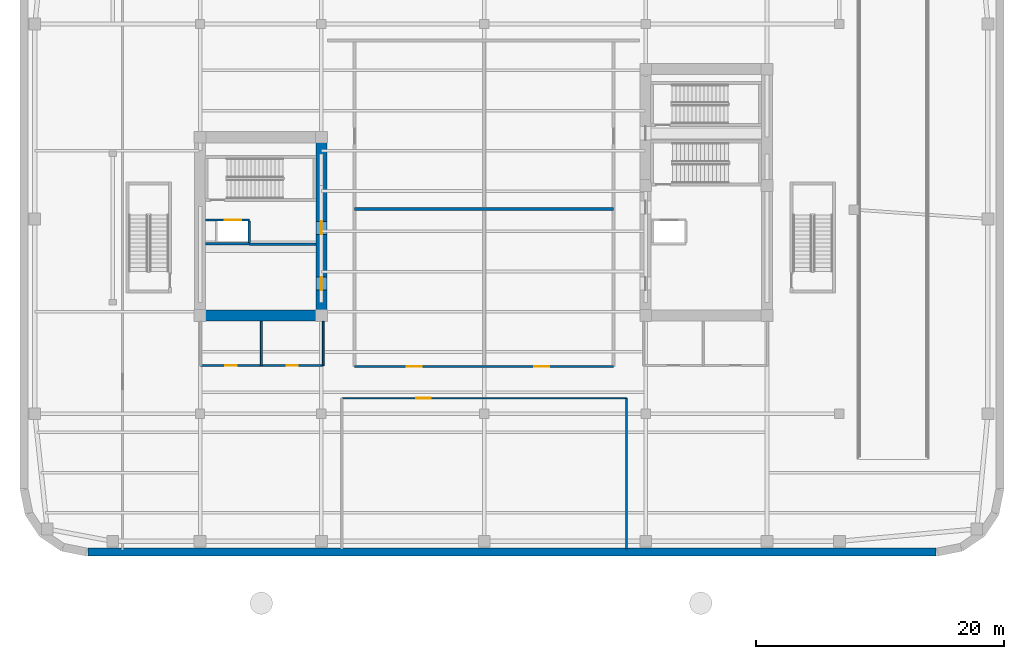
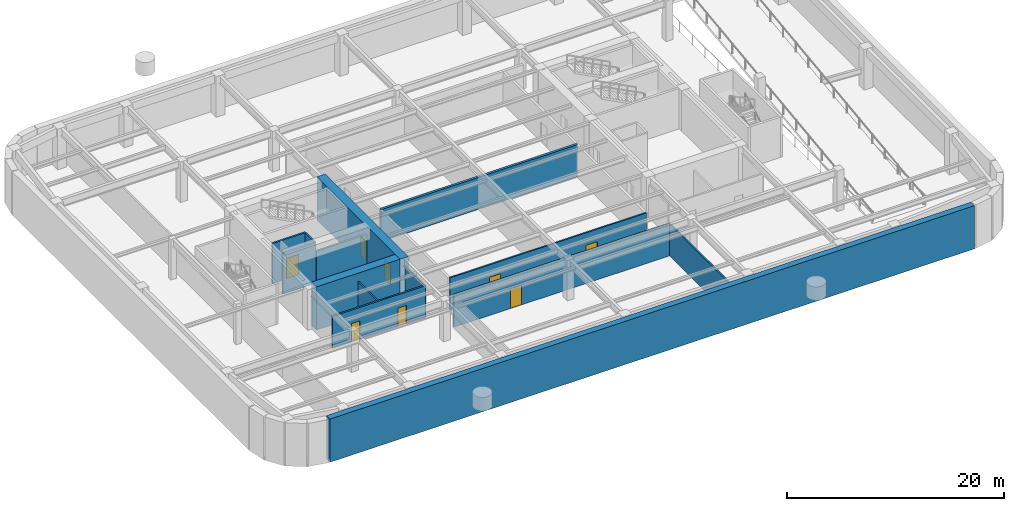
# One storey, part 4 of 12: 14 walls, 8 doors, 8 openings.
"""IFC4 building model written with IfcOpenShell, lengths in metres."""

from ifc_helpers import new_model, si_unit, direction, frame, frame_2d, origin, place, context, subcontext, project, spatial, rectangle, extrude, material, layer, layer_set, type_object, element, fill, save


model = new_model("IFC4")

# Units and contexts
model_context = context("Model", 3, precision=1e-05, world=origin(), true_north=direction((0.0, 1.0)))
body_context = subcontext(model_context, "Body", "Model", "MODEL_VIEW")
ifc_project = project(units=[si_unit("LENGTHUNIT", "METRE"), si_unit("AREAUNIT", "SQUARE_METRE"), si_unit("VOLUMEUNIT", "CUBIC_METRE"), si_unit("PLANEANGLEUNIT", "RADIAN"), si_unit("MASSUNIT", "GRAM", prefix="KILO")], contexts=[model_context])

# Site, building, storey
site_placement = place(None, origin())
site = spatial("IfcSite", under=ifc_project, at=site_placement, CompositionType="ELEMENT")
building_placement = place(site_placement, origin())
building = spatial("IfcBuilding", under=site, at=building_placement, Name="Kolvaren Arena Tower", CompositionType="ELEMENT")
storey_placement = place(building_placement, frame((0.0, 0.0, -5.0)))
storey = spatial("IfcBuildingStorey", under=building, at=storey_placement, Name="B01", CompositionType="ELEMENT", Elevation=-5.0)

# Wall, openings, doors
ifc_material_1 = material(Name="Gypsum board acoustic assembly", Category="gypsum")
ifc_layer_1 = layer(ifc_material_1, 0.159912109375)
ifc_layer_set_1 = layer_set([ifc_layer_1], Name="Gypsum board acoustic assembly")
wall_type_1 = type_object("IfcWallType", Name="CORR-160", PredefinedType="PARTITIONING", material=ifc_layer_set_1)
wall_1_placement = place(storey_placement, frame((27.0400390625, 15.340087890625, 0.0), z_axis=(0.0, 0.0, 1.0), x_axis=(1.0, 0.0, 0.0)))
wall_1 = element("IfcWall", 1, at=wall_1_placement, inside=storey, type_object=wall_type_1, Name="Interior Partition Wall (B01)", PredefinedType="PARTITIONING", context=body_context, shape_type="SweptSolid", body=[
    extrude(rectangle(XDim=20.919921875, YDim=0.159912109375, at=frame_2d((10.4599609375, 0.0))), origin(), (0.0, 0.0, 1.0), 3.610107421875),
])
opening_1_placement = place(wall_1_placement, frame((4.199951171875, 0.0, 0.0)))
opening_1 = element("IfcOpeningElement", 2, at=opening_1_placement, cuts=wall_1, Name="Opening D08", PredefinedType="OPENING", context=body_context, shape_type="SweptSolid", body=[
    extrude(rectangle(XDim=1.199951171875, YDim=2.199951171875, at=frame_2d((0.60009765625, 1.10009765625))), frame((0.0, 0.08984375, 0.0), z_axis=(0.0, -1.0, 0.0), x_axis=(1.0, 0.0, 0.0)), (0.0, 0.0, 1.0), 0.179931640625),
])
opening_2_placement = place(wall_1_placement, frame((14.5, 0.0, 0.0)))
opening_2 = element("IfcOpeningElement", 3, at=opening_2_placement, cuts=wall_1, Name="Opening D08", PredefinedType="OPENING", context=body_context, shape_type="SweptSolid", body=[
    extrude(rectangle(XDim=1.199951171875, YDim=2.199951171875, at=frame_2d((0.60009765625, 1.10009765625))), frame((0.0, 0.08984375, 0.0), z_axis=(0.0, -1.0, 0.0), x_axis=(1.0, 0.0, 0.0)), (0.0, 0.0, 1.0), 0.179931640625),
])
ifc_material_2 = material(Name="Fire-rated steel plant room door", Category="steel")
door_type_1 = type_object("IfcDoorType", Name="DOOR-PL-120", OperationType="NOTDEFINED", PredefinedType="DOOR", material=ifc_material_2)
door_1_placement = place(opening_1_placement, origin())
door_1 = element("IfcDoor", 4, at=door_1_placement, inside=storey, type_object=door_type_1, Name="Team A Locker Room Door", OperationType="SINGLE_SWING_RIGHT", OverallHeight=2.199951171875, OverallWidth=1.199951171875, PredefinedType="DOOR", context=body_context, shape_type="SweptSolid", body=[
    extrude(rectangle(XDim=1.199951171875, YDim=2.199951171875, at=frame_2d((0.60009765625, 1.10009765625))), frame((0.0, 0.02490234375, 0.0), z_axis=(0.0, -1.0, 0.0), x_axis=(1.0, 0.0, 0.0)), (0.0, 0.0, 1.0), 0.050048828125),
])
fill(opening_1, door_1)
door_2_placement = place(opening_2_placement, origin())
door_2 = element("IfcDoor", 5, at=door_2_placement, inside=storey, type_object=door_type_1, Name="Team B Locker Room Door", OperationType="SINGLE_SWING_LEFT", OverallHeight=2.199951171875, OverallWidth=1.199951171875, PredefinedType="DOOR", context=body_context, shape_type="SweptSolid", body=[
    extrude(rectangle(XDim=1.199951171875, YDim=2.199951171875, at=frame_2d((0.60009765625, 1.10009765625))), frame((0.0, 0.02490234375, 0.0), z_axis=(0.0, -1.0, 0.0), x_axis=(1.0, 0.0, 0.0)), (0.0, 0.0, 1.0), 0.050048828125),
])
fill(opening_2, door_2)

# Wall, opening, door
wall_2_placement = place(storey_placement, frame((26.0, 12.760009765625, 0.0), z_axis=(0.0, 0.0, 1.0), x_axis=(1.0, 0.0, 0.0)))
wall_2 = element("IfcWall", 6, at=wall_2_placement, inside=storey, type_object=wall_type_1, Name="Interior Partition Wall (B01)", PredefinedType="PARTITIONING", context=body_context, shape_type="SweptSolid", body=[
    extrude(rectangle(XDim=23.0, YDim=0.159912109375, at=frame_2d((11.5, 0.0))), origin(), (0.0, 0.0, 1.0), 3.610107421875),
])
opening_3_placement = place(wall_2_placement, frame((6.0, 0.0, 0.0)))
opening_3 = element("IfcOpeningElement", 7, at=opening_3_placement, cuts=wall_2, Name="Opening D08", PredefinedType="OPENING", context=body_context, shape_type="SweptSolid", body=[
    extrude(rectangle(XDim=1.199951171875, YDim=2.199951171875, at=frame_2d((0.60009765625, 1.10009765625))), frame((0.0, 0.08984375, 0.0), z_axis=(0.0, -1.0, 0.0), x_axis=(1.0, 0.0, 0.0)), (0.0, 0.0, 1.0), 0.179931640625),
])
door_3_placement = place(opening_3_placement, origin())
door_3 = element("IfcDoor", 8, at=door_3_placement, inside=storey, type_object=door_type_1, Name="Loading Dock Corridor Door", OperationType="SINGLE_SWING_RIGHT", OverallHeight=2.199951171875, OverallWidth=1.199951171875, PredefinedType="DOOR", context=body_context, shape_type="SweptSolid", body=[
    extrude(rectangle(XDim=1.199951171875, YDim=2.199951171875, at=frame_2d((0.60009765625, 1.10009765625))), frame((0.0, 0.02490234375, 0.0), z_axis=(0.0, -1.0, 0.0), x_axis=(1.0, 0.0, 0.0)), (0.0, 0.0, 1.0), 0.050048828125),
])
fill(opening_3, door_3)

# Wall
wall_3_placement = place(storey_placement, frame((49.0, 0.60009765625, 0.0), z_axis=(0.0, 0.0, 1.0), x_axis=(0.0, 1.0, 0.0)))
element("IfcWall", 9, at=wall_3_placement, inside=storey, type_object=wall_type_1, Name="Interior Partition Wall (B01)", PredefinedType="PARTITIONING", context=body_context, shape_type="SweptSolid", body=[
    extrude(rectangle(XDim=12.159912109375, YDim=0.159912109375, at=frame_2d((6.080078125, 0.0))), origin(), (0.0, 0.0, 1.0), 3.610107421875),
])

# Wall, openings, doors
ifc_material_3 = material(Name="Concrete 80 MPa", Category="concrete")
ifc_layer_2 = layer(ifc_material_3, 0.89990234375)
ifc_layer_set_2 = layer_set([ifc_layer_2], Name="Concrete 80 MPa")
wall_type_2 = type_object("IfcWallType", Name="CWALL-900", PredefinedType="SHEAR", material=ifc_layer_set_2)
wall_4_placement = place(storey_placement, frame((24.35009765625, 19.0, -0.31005859375), z_axis=(0.0, 0.0, 1.0), x_axis=(0.0, 1.0, 0.0)))
wall_4 = element("IfcWall", 10, at=wall_4_placement, inside=storey, type_object=wall_type_2, Name="Core Shear Wall WC-EAST (B01)", PredefinedType="SHEAR", context=body_context, shape_type="SweptSolid", body=[
    extrude(rectangle(XDim=15.300048828125, YDim=0.89990234375, at=frame_2d((7.64990234375, 0.0))), origin(), (0.0, 0.0, 1.0), 4.860107421875),
])
opening_4_placement = place(wall_4_placement, frame((2.5, 0.0, 0.31005859375)))
opening_4 = element("IfcOpeningElement", 11, at=opening_4_placement, cuts=wall_4, Name="Opening D04", PredefinedType="OPENING", context=body_context, shape_type="SweptSolid", body=[
    extrude(rectangle(XDim=1.050048828125, YDim=2.14990234375, at=frame_2d((0.52490234375, 1.074951171875))), frame((0.0, 0.4599609375, 0.0), z_axis=(0.0, -1.0, 0.0), x_axis=(1.0, 0.0, 0.0)), (0.0, 0.0, 1.0), 0.919921875),
])
opening_5_placement = place(wall_4_placement, frame((7.0, 0.0, 0.31005859375)))
opening_5 = element("IfcOpeningElement", 12, at=opening_5_placement, cuts=wall_4, Name="Opening D04", PredefinedType="OPENING", context=body_context, shape_type="SweptSolid", body=[
    extrude(rectangle(XDim=1.050048828125, YDim=2.14990234375, at=frame_2d((0.52490234375, 1.074951171875))), frame((0.0, 0.4599609375, 0.0), z_axis=(0.0, -1.0, 0.0), x_axis=(1.0, 0.0, 0.0)), (0.0, 0.0, 1.0), 0.919921875),
])
ifc_material_4 = material(Name="Fire-rated steel lobby door", Category="steel")
door_type_2 = type_object("IfcDoorType", Name="DOOR-FF-105", OperationType="NOTDEFINED", PredefinedType="DOOR", material=ifc_material_4)
door_4_placement = place(opening_4_placement, origin())
door_4 = element("IfcDoor", 13, at=door_4_placement, inside=storey, type_object=door_type_2, Name="West Lift Lobby Fire Door (B01)", OperationType="SINGLE_SWING_LEFT", OverallHeight=2.14990234375, OverallWidth=1.050048828125, PredefinedType="DOOR", context=body_context, shape_type="SweptSolid", body=[
    extrude(rectangle(XDim=1.050048828125, YDim=2.14990234375, at=frame_2d((0.52490234375, 1.074951171875))), frame((0.0, 0.02490234375, 0.0), z_axis=(0.0, -1.0, 0.0), x_axis=(1.0, 0.0, 0.0)), (0.0, 0.0, 1.0), 0.050048828125),
])
fill(opening_4, door_4)
door_5_placement = place(opening_5_placement, origin())
door_5 = element("IfcDoor", 14, at=door_5_placement, inside=storey, type_object=door_type_2, Name="West Firefighter Vestibule Door (B01)", OperationType="SINGLE_SWING_RIGHT", OverallHeight=2.14990234375, OverallWidth=1.050048828125, PredefinedType="DOOR", context=body_context, shape_type="SweptSolid", body=[
    extrude(rectangle(XDim=1.050048828125, YDim=2.14990234375, at=frame_2d((0.52490234375, 1.074951171875))), frame((0.0, 0.02490234375, 0.0), z_axis=(0.0, -1.0, 0.0), x_axis=(1.0, 0.0, 0.0)), (0.0, 0.0, 1.0), 0.050048828125),
])
fill(opening_5, door_5)

# Walls
wall_5_placement = place(storey_placement, frame((15.0, 19.449951171875, -0.31005859375), z_axis=(0.0, 0.0, 1.0), x_axis=(1.0, 0.0, 0.0)))
element("IfcWall", 15, at=wall_5_placement, inside=storey, type_object=wall_type_2, Name="Core Shear Wall WC-SOUTH (B01)", PredefinedType="SHEAR", context=body_context, shape_type="SweptSolid", body=[
    extrude(rectangle(XDim=8.89990234375, YDim=0.89990234375, at=frame_2d((4.449951171875, 0.0))), origin(), (0.0, 0.0, 1.0), 4.860107421875),
])
ifc_material_5 = material(Name="Concrete 40 MPa", Category="concrete")
ifc_layer_3 = layer(ifc_material_5, 0.199951171875)
ifc_layer_set_3 = layer_set([ifc_layer_3], Name="Concrete 40 MPa")
wall_type_3 = type_object("IfcWallType", Name="LOBBY-200", PredefinedType="SOLIDWALL", material=ifc_layer_set_3)
wall_6_placement = place(storey_placement, frame((18.530029296875, 25.219970703125, 0.0), z_axis=(0.0, 0.0, 1.0), x_axis=(1.0, 0.0, 0.0)))
element("IfcWall", 16, at=wall_6_placement, inside=storey, type_object=wall_type_3, Name="Core Shaft Wall (B01)", PredefinedType="SOLIDWALL", context=body_context, shape_type="SweptSolid", body=[
    extrude(rectangle(XDim=5.369873046875, YDim=0.199951171875, at=frame_2d((2.68505859375, 0.0))), origin(), (0.0, 0.0, 1.0), 3.610107421875),
])
ifc_material_6 = material(Name="Concrete 50 MPa", Category="concrete")
ifc_layer_4 = layer(ifc_material_6, 0.64990234375)
ifc_layer_set_4 = layer_set([ifc_layer_4], Name="Concrete 50 MPa")
wall_type_4 = type_object("IfcWallType", Name="RWALL-650", PredefinedType="USERDEFINED", material=ifc_layer_set_4)
wall_7_placement = place(storey_placement, frame((74.014892578125, 0.324951171875, -0.31005859375), z_axis=(0.0, 0.0, 1.0), x_axis=(-1.0, 0.0, 0.0)))
element("IfcWall", 17, at=wall_7_placement, inside=storey, type_object=wall_type_4, Name="Basement Perimeter Retaining Wall (B01)", ObjectType="RETAININGWALL", PredefinedType="USERDEFINED", context=body_context, shape_type="SweptSolid", body=[
    extrude(rectangle(XDim=68.52978515625, YDim=0.64990234375, at=frame_2d((34.264892578125, 0.0))), origin(), (0.0, 0.0, 1.0), 4.860107421875),
])

# Wall, opening, door
ifc_material_7 = material(Name="Concrete 45 MPa", Category="concrete")
ifc_layer_5 = layer(ifc_material_7, 0.25)
ifc_layer_set_5 = layer_set([ifc_layer_5], Name="Concrete 45 MPa")
wall_type_5 = type_object("IfcWallType", Name="SHAFT-250", PredefinedType="SOLIDWALL", material=ifc_layer_set_5)
wall_8_placement = place(storey_placement, frame((15.0, 27.155029296875, 0.0), z_axis=(0.0, 0.0, 1.0), x_axis=(1.0, 0.0, 0.0)))
wall_8 = element("IfcWall", 18, at=wall_8_placement, inside=storey, type_object=wall_type_5, Name="Core Shaft Wall (B01)", PredefinedType="SOLIDWALL", context=body_context, shape_type="SweptSolid", body=[
    extrude(rectangle(XDim=3.530029296875, YDim=0.179931640625, at=frame_2d((1.76513671875, 0.0))), origin(), (0.0, 0.0, 1.0), 4.550048828125),
])
opening_6_placement = place(wall_8_placement, frame((1.52490234375, 0.0, 0.0)))
opening_6 = element("IfcOpeningElement", 19, at=opening_6_placement, cuts=wall_8, Name="Opening LD2", PredefinedType="OPENING", context=body_context, shape_type="SweptSolid", body=[
    extrude(rectangle(XDim=1.35009765625, YDim=2.300048828125, at=frame_2d((0.675048828125, 1.14990234375))), frame((0.0, 0.099853515625, 0.0), z_axis=(0.0, -1.0, 0.0), x_axis=(1.0, 0.0, 0.0)), (0.0, 0.0, 1.0), 0.199951171875),
])
ifc_material_8 = material(Name="Stainless steel firefighter lift landing door", Category="steel")
door_type_3 = type_object("IfcDoorType", Name="DOOR-LD-135", OperationType="DOUBLE_DOOR_SLIDING", PredefinedType="DOOR", material=ifc_material_8)
door_6_placement = place(opening_6_placement, origin())
door_6 = element("IfcDoor", 20, at=door_6_placement, inside=storey, type_object=door_type_3, Name="Firefighter Lift FF-W1 Landing Door (B01)", OperationType="DOUBLE_DOOR_SLIDING", OverallHeight=2.300048828125, OverallWidth=1.35009765625, PredefinedType="DOOR", context=body_context, shape_type="SweptSolid", body=[
    extrude(rectangle(XDim=1.35009765625, YDim=2.300048828125, at=frame_2d((0.675048828125, 1.14990234375))), frame((0.0, 0.02490234375, 0.0), z_axis=(0.0, -1.0, 0.0), x_axis=(1.0, 0.0, 0.0)), (0.0, 0.0, 1.0), 0.050048828125),
])
fill(opening_6, door_6)

# Walls
wall_9_placement = place(storey_placement, frame((15.0, 25.2451171875, 0.0), z_axis=(0.0, 0.0, 1.0), x_axis=(1.0, 0.0, 0.0)))
element("IfcWall", 21, at=wall_9_placement, inside=storey, type_object=wall_type_5, Name="Core Shaft Wall (B01)", PredefinedType="SOLIDWALL", context=body_context, shape_type="SweptSolid", body=[
    extrude(rectangle(XDim=3.530029296875, YDim=0.179931640625, at=frame_2d((1.76513671875, 0.0))), origin(), (0.0, 0.0, 1.0), 4.550048828125),
])
wall_10_placement = place(storey_placement, frame((18.530029296875, 25.3349609375, 0.0), z_axis=(0.0, 0.0, 1.0), x_axis=(0.0, 1.0, 0.0)))
element("IfcWall", 22, at=wall_10_placement, inside=storey, type_object=wall_type_5, Name="Core Shaft Wall (B01)", PredefinedType="SOLIDWALL", context=body_context, shape_type="SweptSolid", body=[
    extrude(rectangle(XDim=1.72998046875, YDim=0.179931640625, at=frame_2d((0.864990234375, 0.0))), origin(), (0.0, 0.0, 1.0), 4.550048828125),
])
wall_11_placement = place(storey_placement, frame((27.0400390625, 28.06005859375, 0.0), z_axis=(0.0, 0.0, 1.0), x_axis=(1.0, 0.0, 0.0)))
element("IfcWall", 23, at=wall_11_placement, inside=storey, type_object=wall_type_5, Name="Interior Partition Wall (B01)", PredefinedType="SOLIDWALL", context=body_context, shape_type="SweptSolid", body=[
    extrude(rectangle(XDim=20.919921875, YDim=0.25, at=frame_2d((10.4599609375, 0.0))), origin(), (0.0, 0.0, 1.0), 3.610107421875),
])
ifc_material_9 = material(Name="Moisture-resistant gypsum assembly", Category="gypsum")
ifc_layer_6 = layer(ifc_material_9, 0.14990234375)
ifc_layer_set_6 = layer_set([ifc_layer_6], Name="Moisture-resistant gypsum assembly")
wall_type_6 = type_object("IfcWallType", Name="WETW-150", PredefinedType="PARTITIONING", material=ifc_layer_set_6)
wall_12_placement = place(storey_placement, frame((19.5, 15.39990234375, 0.0), z_axis=(0.0, 0.0, 1.0), x_axis=(0.0, 1.0, 0.0)))
element("IfcWall", 24, at=wall_12_placement, inside=storey, type_object=wall_type_6, Name="Interior Partition Wall (B01)", PredefinedType="PARTITIONING", context=body_context, shape_type="SweptSolid", body=[
    extrude(rectangle(XDim=3.580078125, YDim=0.14990234375, at=frame_2d((1.7900390625, 0.0))), origin(), (0.0, 0.0, 1.0), 3.610107421875),
])

# Wall, openings, doors
wall_13_placement = place(storey_placement, frame((14.60009765625, 15.39990234375, 0.0), z_axis=(0.0, 0.0, 1.0), x_axis=(1.0, 0.0, 0.0)))
wall_13 = element("IfcWall", 25, at=wall_13_placement, inside=storey, type_object=wall_type_6, Name="Interior Partition Wall (B01)", PredefinedType="PARTITIONING", context=body_context, shape_type="SweptSolid", body=[
    extrude(rectangle(XDim=9.89990234375, YDim=0.179931640625, at=frame_2d((4.949951171875, 0.0))), origin(), (0.0, 0.0, 1.0), 3.610107421875),
])
opening_7_placement = place(wall_13_placement, frame((1.989990234375, 0.0, 0.0)))
opening_7 = element("IfcOpeningElement", 26, at=opening_7_placement, cuts=wall_13, Name="Opening D07", PredefinedType="OPENING", context=body_context, shape_type="SweptSolid", body=[
    extrude(rectangle(XDim=0.919921875, YDim=2.10009765625, at=frame_2d((0.4599609375, 1.050048828125))), frame((0.0, 0.099853515625, 0.0), z_axis=(0.0, -1.0, 0.0), x_axis=(1.0, 0.0, 0.0)), (0.0, 0.0, 1.0), 0.199951171875),
])
opening_8_placement = place(wall_13_placement, frame((6.93994140625, 0.0, 0.0)))
opening_8 = element("IfcOpeningElement", 27, at=opening_8_placement, cuts=wall_13, Name="Opening D07", PredefinedType="OPENING", context=body_context, shape_type="SweptSolid", body=[
    extrude(rectangle(XDim=0.919921875, YDim=2.10009765625, at=frame_2d((0.4599609375, 1.050048828125))), frame((0.0, 0.099853515625, 0.0), z_axis=(0.0, -1.0, 0.0), x_axis=(1.0, 0.0, 0.0)), (0.0, 0.0, 1.0), 0.199951171875),
])
ifc_material_10 = material(Name="Laminate universal washroom door", Category="wood")
door_type_4 = type_object("IfcDoorType", Name="DOOR-WC-092", OperationType="NOTDEFINED", PredefinedType="DOOR", material=ifc_material_10)
door_7_placement = place(opening_7_placement, origin())
door_7 = element("IfcDoor", 28, at=door_7_placement, inside=storey, type_object=door_type_4, Name="Universal Barrier-Free Washroom Door (B01)", OperationType="SINGLE_SWING_LEFT", OverallHeight=2.10009765625, OverallWidth=0.919921875, PredefinedType="DOOR", context=body_context, shape_type="SweptSolid", body=[
    extrude(rectangle(XDim=0.919921875, YDim=2.10009765625, at=frame_2d((0.4599609375, 1.050048828125))), frame((0.0, 0.02490234375, 0.0), z_axis=(0.0, -1.0, 0.0), x_axis=(1.0, 0.0, 0.0)), (0.0, 0.0, 1.0), 0.050048828125),
])
fill(opening_7, door_7)
door_8_placement = place(opening_8_placement, origin())
door_8 = element("IfcDoor", 29, at=door_8_placement, inside=storey, type_object=door_type_4, Name="Gender-Neutral Washroom Door (B01)", OperationType="SINGLE_SWING_RIGHT", OverallHeight=2.10009765625, OverallWidth=0.919921875, PredefinedType="DOOR", context=body_context, shape_type="SweptSolid", body=[
    extrude(rectangle(XDim=0.919921875, YDim=2.10009765625, at=frame_2d((0.4599609375, 1.050048828125))), frame((0.0, 0.02490234375, 0.0), z_axis=(0.0, -1.0, 0.0), x_axis=(1.0, 0.0, 0.0)), (0.0, 0.0, 1.0), 0.050048828125),
])
fill(opening_8, door_8)

# Wall
wall_14_placement = place(storey_placement, frame((24.5, 15.39990234375, 0.0), z_axis=(0.0, 0.0, 1.0), x_axis=(0.0, 1.0, 0.0)))
element("IfcWall", 30, at=wall_14_placement, inside=storey, type_object=wall_type_6, Name="Interior Partition Wall (B01)", PredefinedType="PARTITIONING", context=body_context, shape_type="SweptSolid", body=[
    extrude(rectangle(XDim=3.580078125, YDim=0.14990234375, at=frame_2d((1.7900390625, 0.0))), origin(), (0.0, 0.0, 1.0), 3.610107421875),
])

save(model, "model.ifc")
